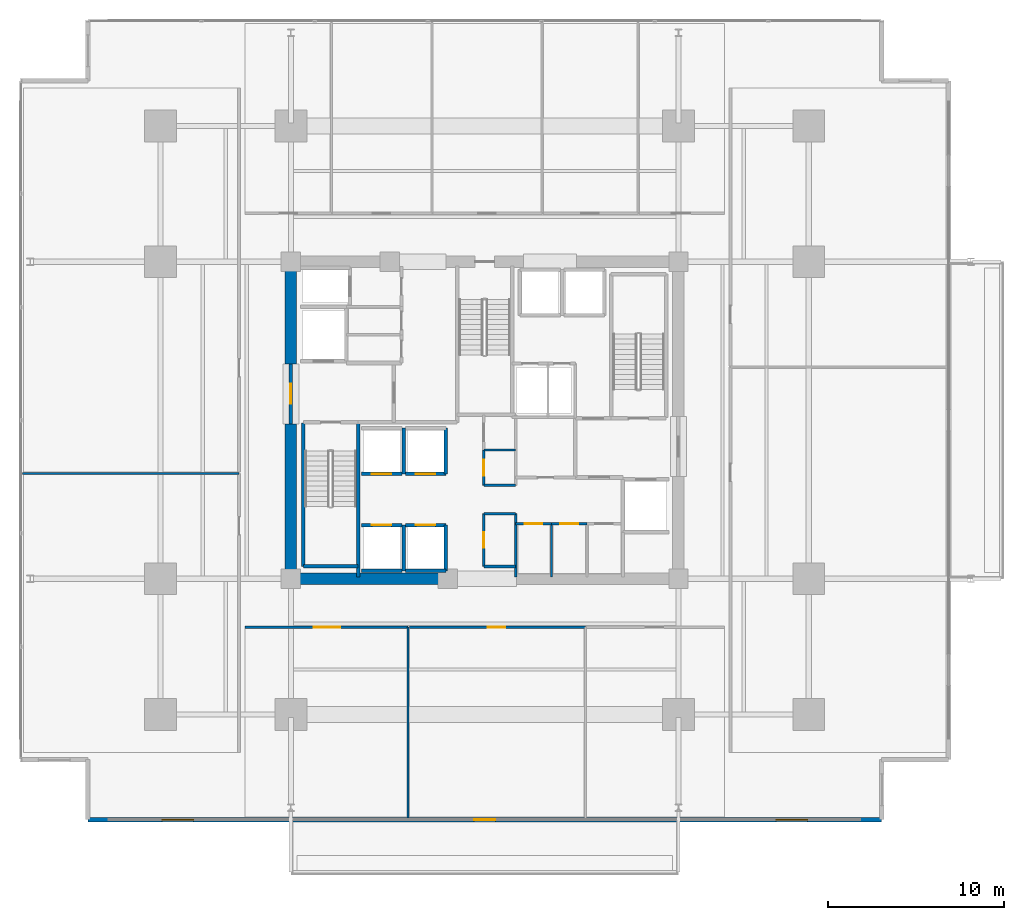
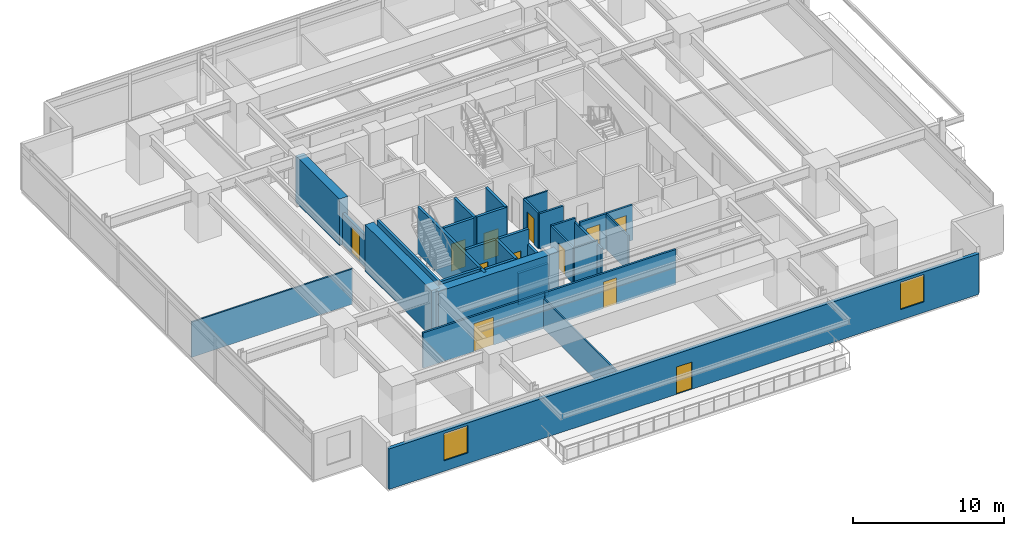
# One storey, part 13 of 21: 32 walls, 12 doors, 2 windows, 14 openings.
"""IFC4 building model written with IfcOpenShell, lengths in metres."""

from ifc_helpers import new_model, si_unit, direction, frame, frame_2d, origin, place, context, subcontext, project, spatial, rectangle, extrude, material, layer, layer_set, type_object, element, fill, save


model = new_model("IFC4")

# Units and contexts
model_context = context("Model", 3, precision=1e-05, world=origin(), true_north=direction((0.0, 1.0)))
body_context = subcontext(model_context, "Body", "Model", "MODEL_VIEW")
ifc_project = project(units=[si_unit("LENGTHUNIT", "METRE"), si_unit("AREAUNIT", "SQUARE_METRE"), si_unit("VOLUMEUNIT", "CUBIC_METRE"), si_unit("PLANEANGLEUNIT", "RADIAN"), si_unit("MASSUNIT", "GRAM", prefix="KILO")], contexts=[model_context])

# Site, building, storey
site_placement = place(None, origin())
site = spatial("IfcSite", under=ifc_project, at=site_placement, CompositionType="ELEMENT")
building_placement = place(site_placement, origin())
building = spatial("IfcBuilding", under=site, at=building_placement, Name="Kovane Verandah Tower", CompositionType="ELEMENT")
storey_placement = place(building_placement, frame((0.0, 0.0, 87.60009765625)))
storey = spatial("IfcBuildingStorey", under=building, at=storey_placement, Name="L20", CompositionType="ELEMENT", Elevation=87.60009765625)

# Walls
ifc_material_1 = material(Name="Fire-Rated Gypsum Stud Partition", Category="gypsum")
ifc_layer_1 = layer(ifc_material_1, 0.14990234375)
ifc_layer_set_1 = layer_set([ifc_layer_1], Name="Fire-Rated Gypsum Stud Partition")
wall_type_1 = type_object("IfcWallType", Name="WL-COR-150", PredefinedType="PARTITIONING", material=ifc_layer_set_1)
for number, where, z_axis, x_axis, name in (
    (1, (39.949951171875, 19.199951171875, 0.0), (0.0, 0.0, 1.0), (1.0, 0.0, 0.0), "L20 Central Core Strip South Wall"),
    (2, (39.949951171875, 22.199951171875, 0.0), (0.0, 0.0, 1.0), (1.0, 0.0, 0.0), "L20 Core Cross-Passage South Wall"),
    (3, (39.949951171875, 23.800048828125, 0.0), (0.0, 0.0, 1.0), (1.0, 0.0, 0.0), "L20 Core Cross-Passage North Wall"),
):
    element("IfcWall", number, at=place(storey_placement, frame(where, z_axis=z_axis, x_axis=x_axis)), inside=storey, type_object=wall_type_1, Name=name, PredefinedType="PARTITIONING", context=body_context, shape_type="SweptSolid", body=[
        extrude(rectangle(XDim=1.81005859375, YDim=0.14990234375, at=frame_2d((0.905029296875, 0.0))), origin(), (0.0, 0.0, 1.0), 2.849853515625),
    ])
wall_1_placement = place(storey_placement, frame((41.760009765625, 18.60009765625, 0.0), z_axis=(0.0, 0.0, 1.0), x_axis=(0.0, 1.0, 0.0)))
element("IfcWall", 4, at=wall_1_placement, inside=storey, type_object=wall_type_1, Name="L20 Central Core Strip Lower East Wall", PredefinedType="PARTITIONING", context=body_context, shape_type="SweptSolid", body=[
    extrude(rectangle(XDim=3.599853515625, YDim=0.14990234375, at=frame_2d((1.7998046875, 0.0))), origin(), (0.0, 0.0, 1.0), 2.539794921875),
])

# Wall, opening, door
wall_2_placement = place(storey_placement, frame((39.949951171875, 19.199951171875, 0.0), z_axis=(0.0, 0.0, 1.0), x_axis=(0.0, 1.0, 0.0)))
wall_2 = element("IfcWall", 5, at=wall_2_placement, inside=storey, type_object=wall_type_1, Name="L20 Male Toilet Partition", PredefinedType="PARTITIONING", context=body_context, shape_type="SweptSolid", body=[
    extrude(rectangle(XDim=3.0, YDim=0.14990234375, at=frame_2d((1.5, 0.0))), origin(), (0.0, 0.0, 1.0), 2.849853515625),
])
opening_1_placement = place(wall_2_placement, frame((1.050048828125, 0.0, 0.0)))
opening_1 = element("IfcOpeningElement", 6, at=opening_1_placement, cuts=wall_2, Name="Opening DR-L20-032", PredefinedType="OPENING", context=body_context, shape_type="SweptSolid", body=[
    extrude(rectangle(XDim=0.89990234375, YDim=2.10009765625, at=frame_2d((0.449951171875, 1.050048828125))), frame((0.0, 0.074951171875, 0.0), z_axis=(0.0, -1.0, 0.0), x_axis=(1.0, 0.0, 0.0)), (0.0, 0.0, 1.0), 0.14990234375),
])
ifc_material_2 = material(Name="Moisture-Resistant Laminate Washroom Door", Category="wood")
door_type_1 = type_object("IfcDoorType", Name="DR-WC-900", OperationType="SINGLE_SWING_LEFT", PredefinedType="DOOR", material=ifc_material_2)
door_1_placement = place(opening_1_placement, origin())
door_1 = element("IfcDoor", 7, at=door_1_placement, inside=storey, type_object=door_type_1, Name="L20 Male Toilet Door", OperationType="SINGLE_SWING_RIGHT", OverallHeight=2.10009765625, OverallWidth=0.89990234375, PredefinedType="DOOR", context=body_context, shape_type="SweptSolid", body=[
    extrude(rectangle(XDim=0.89990234375, YDim=2.10009765625, at=frame_2d((0.449951171875, 1.050048828125))), frame((0.0, 0.02490234375, 0.0), z_axis=(0.0, -1.0, 0.0), x_axis=(1.0, 0.0, 0.0)), (0.0, 0.0, 1.0), 0.050048828125),
])
fill(opening_1, door_1)

wall_3_placement = place(storey_placement, frame((39.949951171875, 23.800048828125, 0.0), z_axis=(0.0, 0.0, 1.0), x_axis=(0.0, 1.0, 0.0)))
wall_3 = element("IfcWall", 8, at=wall_3_placement, inside=storey, type_object=wall_type_1, Name="L20 Female Toilet Partition", PredefinedType="PARTITIONING", context=body_context, shape_type="SweptSolid", body=[
    extrude(rectangle(XDim=2.0, YDim=0.14990234375, at=frame_2d((1.0, 0.0))), origin(), (0.0, 0.0, 1.0), 2.849853515625),
])
opening_2_placement = place(wall_3_placement, frame((0.550048828125, 0.0, 0.0)))
opening_2 = element("IfcOpeningElement", 9, at=opening_2_placement, cuts=wall_3, Name="Opening DR-L20-031", PredefinedType="OPENING", context=body_context, shape_type="SweptSolid", body=[
    extrude(rectangle(XDim=0.89990234375, YDim=2.10009765625, at=frame_2d((0.449951171875, 1.050048828125))), frame((0.0, 0.074951171875, 0.0), z_axis=(0.0, -1.0, 0.0), x_axis=(1.0, 0.0, 0.0)), (0.0, 0.0, 1.0), 0.14990234375),
])
door_2_placement = place(opening_2_placement, origin())
door_2 = element("IfcDoor", 10, at=door_2_placement, inside=storey, type_object=door_type_1, Name="L20 Female Toilet Door", OperationType="SINGLE_SWING_LEFT", OverallHeight=2.10009765625, OverallWidth=0.89990234375, PredefinedType="DOOR", context=body_context, shape_type="SweptSolid", body=[
    extrude(rectangle(XDim=0.89990234375, YDim=2.10009765625, at=frame_2d((0.449951171875, 1.050048828125))), frame((0.0, 0.02490234375, 0.0), z_axis=(0.0, -1.0, 0.0), x_axis=(1.0, 0.0, 0.0)), (0.0, 0.0, 1.0), 0.050048828125),
])
fill(opening_2, door_2)

wall_4_placement = place(storey_placement, frame((41.760009765625, 21.6201171875, 0.0), z_axis=(0.0, 0.0, 1.0), x_axis=(1.0, 0.0, 0.0)))
wall_4 = element("IfcWall", 11, at=wall_4_placement, inside=storey, type_object=wall_type_1, Name="L20 Mail and Copy Room Partition", PredefinedType="PARTITIONING", context=body_context, shape_type="SweptSolid", body=[
    extrude(rectangle(XDim=2.0400390625, YDim=0.14990234375, at=frame_2d((1.02001953125, 0.0))), origin(), (0.0, 0.0, 1.0), 2.849853515625),
])
opening_3_placement = place(wall_4_placement, frame((0.52001953125, 0.0, 0.0)))
opening_3 = element("IfcOpeningElement", 12, at=opening_3_placement, cuts=wall_4, Name="Opening DR-L20-015", PredefinedType="OPENING", context=body_context, shape_type="SweptSolid", body=[
    extrude(rectangle(XDim=1.0, YDim=2.14990234375, at=frame_2d((0.5, 1.074951171875))), frame((0.0, 0.074951171875, 0.0), z_axis=(0.0, -1.0, 0.0), x_axis=(1.0, 0.0, 0.0)), (0.0, 0.0, 1.0), 0.14990234375),
])
ifc_material_3 = material(Name="FSC Spotted-Gum Timber Fire-Rated Office Door", Category="wood")
door_type_2 = type_object("IfcDoorType", Name="DR-OFF-1000", OperationType="SINGLE_SWING_LEFT", PredefinedType="DOOR", material=ifc_material_3)
door_3_placement = place(opening_3_placement, origin())
door_3 = element("IfcDoor", 13, at=door_3_placement, inside=storey, type_object=door_type_2, Name="L20 Mail and Copy Room Door", OperationType="SINGLE_SWING_RIGHT", OverallHeight=2.14990234375, OverallWidth=1.0, PredefinedType="DOOR", context=body_context, shape_type="SweptSolid", body=[
    extrude(rectangle(XDim=1.0, YDim=2.14990234375, at=frame_2d((0.5, 1.074951171875))), frame((0.0, 0.02490234375, 0.0), z_axis=(0.0, -1.0, 0.0), x_axis=(1.0, 0.0, 0.0)), (0.0, 0.0, 1.0), 0.050048828125),
])
fill(opening_3, door_3)

wall_5_placement = place(storey_placement, frame((43.800048828125, 21.6201171875, 0.0), z_axis=(0.0, 0.0, 1.0), x_axis=(1.0, 0.0, 0.0)))
wall_5 = element("IfcWall", 14, at=wall_5_placement, inside=storey, type_object=wall_type_1, Name="L20 First Aid Room Partition", PredefinedType="PARTITIONING", context=body_context, shape_type="SweptSolid", body=[
    extrude(rectangle(XDim=2.0, YDim=0.14990234375, at=frame_2d((1.0, 0.0))), origin(), (0.0, 0.0, 1.0), 2.849853515625),
])
opening_4_placement = place(wall_5_placement, frame((0.5, 0.0, 0.0)))
opening_4 = element("IfcOpeningElement", 15, at=opening_4_placement, cuts=wall_5, Name="Opening DR-L20-016", PredefinedType="OPENING", context=body_context, shape_type="SweptSolid", body=[
    extrude(rectangle(XDim=1.0, YDim=2.14990234375, at=frame_2d((0.5, 1.074951171875))), frame((0.0, 0.074951171875, 0.0), z_axis=(0.0, -1.0, 0.0), x_axis=(1.0, 0.0, 0.0)), (0.0, 0.0, 1.0), 0.14990234375),
])
door_4_placement = place(opening_4_placement, origin())
door_4 = element("IfcDoor", 16, at=door_4_placement, inside=storey, type_object=door_type_2, Name="L20 First Aid Room Door", OperationType="SINGLE_SWING_LEFT", OverallHeight=2.14990234375, OverallWidth=1.0, PredefinedType="DOOR", context=body_context, shape_type="SweptSolid", body=[
    extrude(rectangle(XDim=1.0, YDim=2.14990234375, at=frame_2d((0.5, 1.074951171875))), frame((0.0, 0.02490234375, 0.0), z_axis=(0.0, -1.0, 0.0), x_axis=(1.0, 0.0, 0.0)), (0.0, 0.0, 1.0), 0.050048828125),
])
fill(opening_4, door_4)

wall_6_placement = place(storey_placement, frame((26.39990234375, 15.75, 0.0), z_axis=(0.0, 0.0, 1.0), x_axis=(1.0, 0.0, 0.0)))
wall_6 = element("IfcWall", 17, at=wall_6_placement, inside=storey, type_object=wall_type_1, Name="L20 Client Boardroom S1 Corridor Partition", PredefinedType="PARTITIONING", context=body_context, shape_type="SweptSolid", body=[
    extrude(rectangle(XDim=9.248046875, YDim=0.14990234375, at=frame_2d((4.6240234375, 0.0))), origin(), (0.0, 0.0, 1.0), 2.849853515625),
])
opening_5_placement = place(wall_6_placement, frame((3.888916015625, 0.0, 0.0)))
opening_5 = element("IfcOpeningElement", 18, at=opening_5_placement, cuts=wall_6, Name="Opening DR-L20-026", PredefinedType="OPENING", context=body_context, shape_type="SweptSolid", body=[
    extrude(rectangle(XDim=1.5, YDim=2.25, at=frame_2d((0.75, 1.125))), frame((0.0, 0.074951171875, 0.0), z_axis=(0.0, -1.0, 0.0), x_axis=(1.0, 0.0, 0.0)), (0.0, 0.0, 1.0), 0.14990234375),
])
ifc_material_4 = material(Name="Glazed Timber Fire-Rated Double Door", Category="wood")
door_type_3 = type_object("IfcDoorType", Name="DR-CONF-1500", OperationType="DOUBLE_DOOR_SINGLE_SWING", PredefinedType="DOOR", material=ifc_material_4)
door_5_placement = place(opening_5_placement, origin())
door_5 = element("IfcDoor", 19, at=door_5_placement, inside=storey, type_object=door_type_3, Name="L20 Client Boardroom S1 Entrance Door", OperationType="DOUBLE_DOOR_SINGLE_SWING", OverallHeight=2.25, OverallWidth=1.5, PredefinedType="DOOR", context=body_context, shape_type="SweptSolid", body=[
    extrude(rectangle(XDim=1.5, YDim=2.25, at=frame_2d((0.75, 1.125))), frame((0.0, 0.02490234375, 0.0), z_axis=(0.0, -1.0, 0.0), x_axis=(1.0, 0.0, 0.0)), (0.0, 0.0, 1.0), 0.050048828125),
])
fill(opening_5, door_5)

wall_7_placement = place(storey_placement, frame((35.718017578125, 15.75, 0.0), z_axis=(0.0, 0.0, 1.0), x_axis=(1.0, 0.0, 0.0)))
wall_7 = element("IfcWall", 20, at=wall_7_placement, inside=storey, type_object=wall_type_1, Name="L20 Meeting Room S2 Corridor Partition", PredefinedType="PARTITIONING", context=body_context, shape_type="SweptSolid", body=[
    extrude(rectangle(XDim=9.993896484375, YDim=0.14990234375, at=frame_2d((4.9970703125, 0.0))), origin(), (0.0, 0.0, 1.0), 2.849853515625),
])
opening_6_placement = place(wall_7_placement, frame((4.4619140625, 0.0, 0.0)))
opening_6 = element("IfcOpeningElement", 21, at=opening_6_placement, cuts=wall_7, Name="Opening DR-L20-027", PredefinedType="OPENING", context=body_context, shape_type="SweptSolid", body=[
    extrude(rectangle(XDim=1.0, YDim=2.14990234375, at=frame_2d((0.5, 1.074951171875))), frame((0.0, 0.074951171875, 0.0), z_axis=(0.0, -1.0, 0.0), x_axis=(1.0, 0.0, 0.0)), (0.0, 0.0, 1.0), 0.14990234375),
])
door_6_placement = place(opening_6_placement, origin())
door_6 = element("IfcDoor", 22, at=door_6_placement, inside=storey, type_object=door_type_2, Name="L20 Meeting Room S2 Entrance Door", OperationType="SINGLE_SWING_RIGHT", OverallHeight=2.14990234375, OverallWidth=1.0, PredefinedType="DOOR", context=body_context, shape_type="SweptSolid", body=[
    extrude(rectangle(XDim=1.0, YDim=2.14990234375, at=frame_2d((0.5, 1.074951171875))), frame((0.0, 0.02490234375, 0.0), z_axis=(0.0, -1.0, 0.0), x_axis=(1.0, 0.0, 0.0)), (0.0, 0.0, 1.0), 0.050048828125),
])
fill(opening_6, door_6)

# Walls
ifc_material_5 = material(Name="Concrete C80/95", Category="concrete")
ifc_layer_2 = layer(ifc_material_5, 0.64990234375)
ifc_layer_set_2 = layer_set([ifc_layer_2], Name="Concrete C80/95")
wall_type_2 = type_object("IfcWallType", Name="WL-CORE-650", PredefinedType="SHEAR", material=ifc_layer_set_2)
wall_8_placement = place(storey_placement, frame((29.0, 18.5, 0.0), z_axis=(0.0, 0.0, 1.0), x_axis=(1.0, 0.0, 0.0)))
element("IfcWall", 23, at=wall_8_placement, inside=storey, type_object=wall_type_2, Name="L20 Core Shear Wall CS-1", PredefinedType="SHEAR", context=body_context, shape_type="SweptSolid", body=[
    extrude(rectangle(XDim=9.199951171875, YDim=0.64990234375, at=frame_2d((4.60009765625, 0.0))), origin(), (0.0, 0.0, 1.0), 3.760009765625),
])
wall_9_placement = place(storey_placement, frame((29.0, 18.5, 0.0), z_axis=(0.0, 0.0, 1.0), x_axis=(0.0, 1.0, 0.0)))
element("IfcWall", 24, at=wall_9_placement, inside=storey, type_object=wall_type_2, Name="L20 Core Shear Wall CW-1", PredefinedType="SHEAR", context=body_context, shape_type="SweptSolid", body=[
    extrude(rectangle(XDim=8.800048828125, YDim=0.64990234375, at=frame_2d((4.39990234375, 0.0))), origin(), (0.0, 0.0, 1.0), 3.760009765625),
])
wall_10_placement = place(storey_placement, frame((29.0, 30.699951171875, 0.0), z_axis=(0.0, 0.0, 1.0), x_axis=(0.0, 1.0, 0.0)))
element("IfcWall", 25, at=wall_10_placement, inside=storey, type_object=wall_type_2, Name="L20 Core Shear Wall CW-2", PredefinedType="SHEAR", context=body_context, shape_type="SweptSolid", body=[
    extrude(rectangle(XDim=5.800048828125, YDim=0.64990234375, at=frame_2d((2.89990234375, 0.0))), origin(), (0.0, 0.0, 1.0), 3.760009765625),
])

# Wall, opening, door
ifc_material_6 = material(Name="Concrete C45/55 Fire Wall", Category="concrete")
ifc_layer_3 = layer(ifc_material_6, 0.199951171875)
ifc_layer_set_3 = layer_set([ifc_layer_3], Name="Concrete C45/55 Fire Wall")
wall_type_3 = type_object("IfcWallType", Name="WL-FFL-200", PredefinedType="PARTITIONING", material=ifc_layer_set_3)
wall_11_placement = place(storey_placement, frame((29.0, 27.300048828125, 0.0), z_axis=(0.0, 0.0, 1.0), x_axis=(0.0, 1.0, 0.0)))
wall_11 = element("IfcWall", 26, at=wall_11_placement, inside=storey, type_object=wall_type_3, Name="W-L20-FFLW-OUT", PredefinedType="PARTITIONING", context=body_context, shape_type="SweptSolid", body=[
    extrude(rectangle(XDim=3.39990234375, YDim=0.199951171875, at=frame_2d((1.699951171875, 0.0))), origin(), (0.0, 0.0, 1.0), 2.539794921875),
])
opening_7_placement = place(wall_11_placement, frame((1.125, 0.0, 0.0)))
opening_7 = element("IfcOpeningElement", 27, at=opening_7_placement, cuts=wall_11, Name="Opening DR-L20-007", PredefinedType="OPENING", context=body_context, shape_type="SweptSolid", body=[
    extrude(rectangle(XDim=1.14990234375, YDim=2.199951171875, at=frame_2d((0.574951171875, 1.10009765625))), frame((0.0, 0.10009765625, 0.0), z_axis=(0.0, -1.0, 0.0), x_axis=(1.0, 0.0, 0.0)), (0.0, 0.0, 1.0), 0.199951171875),
])
ifc_material_7 = material(Name="Smoke-Sealed Firefighting Lobby Door", Category="steel")
door_type_4 = type_object("IfcDoorType", Name="DR-FFL-1150", OperationType="SINGLE_SWING_LEFT", PredefinedType="DOOR", material=ifc_material_7)
door_7_placement = place(opening_7_placement, origin())
door_7 = element("IfcDoor", 28, at=door_7_placement, inside=storey, type_object=door_type_4, Name="L20 West Firefighting Lobby Corridor Door", OperationType="SINGLE_SWING_RIGHT", OverallHeight=2.199951171875, OverallWidth=1.14990234375, PredefinedType="DOOR", context=body_context, shape_type="SweptSolid", body=[
    extrude(rectangle(XDim=1.14990234375, YDim=2.199951171875, at=frame_2d((0.574951171875, 1.10009765625))), frame((0.0, 0.02490234375, 0.0), z_axis=(0.0, -1.0, 0.0), x_axis=(1.0, 0.0, 0.0)), (0.0, 0.0, 1.0), 0.050048828125),
])
fill(opening_7, door_7)

# Wall
ifc_material_8 = material(Name="Concrete C45/55 Lift Shaft Wall", Category="concrete")
ifc_layer_4 = layer(ifc_material_8, 0.199951171875)
ifc_layer_set_4 = layer_set([ifc_layer_4], Name="Concrete C45/55 Lift Shaft Wall")
wall_type_4 = type_object("IfcWallType", Name="WL-LIFT-200", PredefinedType="SOLIDWALL", material=ifc_layer_set_4)
wall_12_placement = place(storey_placement, frame((33.0, 18.949951171875, 0.0), z_axis=(0.0, 0.0, 1.0), x_axis=(1.0, 0.0, 0.0)))
element("IfcWall", 29, at=wall_12_placement, inside=storey, type_object=wall_type_4, Name="L20 Lift PL-L1 S Shaft Wall", PredefinedType="SOLIDWALL", context=body_context, shape_type="SweptSolid", body=[
    extrude(rectangle(XDim=2.300048828125, YDim=0.199951171875, at=frame_2d((1.14990234375, 0.0))), origin(), (0.0, 0.0, 1.0), 3.760009765625),
])

# Wall, opening, door
wall_13_placement = place(storey_placement, frame((35.300048828125, 21.550048828125, 0.0), z_axis=(0.0, 0.0, 1.0), x_axis=(-1.0, 0.0, 0.0)))
wall_13 = element("IfcWall", 30, at=wall_13_placement, inside=storey, type_object=wall_type_4, Name="L20 Lift PL-L1 N Shaft Wall", PredefinedType="SOLIDWALL", context=body_context, shape_type="SweptSolid", body=[
    extrude(rectangle(XDim=2.300048828125, YDim=0.199951171875, at=frame_2d((1.14990234375, 0.0))), origin(), (0.0, 0.0, 1.0), 3.760009765625),
])
opening_8_placement = place(wall_13_placement, frame((0.60009765625, 0.0, 0.0)))
opening_8 = element("IfcOpeningElement", 31, at=opening_8_placement, cuts=wall_13, Name="Opening LD-L20-004", PredefinedType="OPENING", context=body_context, shape_type="SweptSolid", body=[
    extrude(rectangle(XDim=1.10009765625, YDim=2.199951171875, at=frame_2d((0.550048828125, 1.10009765625))), frame((0.0, 0.10009765625, 0.0), z_axis=(0.0, -1.0, 0.0), x_axis=(1.0, 0.0, 0.0)), (0.0, 0.0, 1.0), 0.199951171875),
])
ifc_material_9 = material(Name="Brushed Stainless Steel Sliding Lift Landing Door", Category="steel")
door_type_5 = type_object("IfcDoorType", Name="DR-LIFT-1100", OperationType="SLIDING_TO_RIGHT", PredefinedType="DOOR", material=ifc_material_9)
door_8_placement = place(opening_8_placement, origin())
door_8 = element("IfcDoor", 32, at=door_8_placement, inside=storey, type_object=door_type_5, Name="L20 Lift PL-L1 Sliding Landing Door", OperationType="SLIDING_TO_RIGHT", OverallHeight=2.199951171875, OverallWidth=1.10009765625, PredefinedType="DOOR", context=body_context, shape_type="SweptSolid", body=[
    extrude(rectangle(XDim=1.10009765625, YDim=2.199951171875, at=frame_2d((0.550048828125, 1.10009765625))), frame((0.0, 0.02490234375, 0.0), z_axis=(0.0, -1.0, 0.0), x_axis=(1.0, 0.0, 0.0)), (0.0, 0.0, 1.0), 0.050048828125),
])
fill(opening_8, door_8)

# Walls
wall_14_placement = place(storey_placement, frame((35.39990234375, 18.949951171875, 0.0), z_axis=(0.0, 0.0, 1.0), x_axis=(0.0, 1.0, 0.0)))
element("IfcWall", 33, at=wall_14_placement, inside=storey, type_object=wall_type_4, Name="L20 Lift PL-L1 and PL-L2 Shared Shaft Wall", PredefinedType="SOLIDWALL", context=body_context, shape_type="SweptSolid", body=[
    extrude(rectangle(XDim=2.60009765625, YDim=0.199951171875, at=frame_2d((1.300048828125, 0.0))), origin(), (0.0, 0.0, 1.0), 3.760009765625),
])
wall_15_placement = place(storey_placement, frame((35.5, 18.949951171875, 0.0), z_axis=(0.0, 0.0, 1.0), x_axis=(1.0, 0.0, 0.0)))
element("IfcWall", 34, at=wall_15_placement, inside=storey, type_object=wall_type_4, Name="L20 Lift PL-L2 S Shaft Wall", PredefinedType="SOLIDWALL", context=body_context, shape_type="SweptSolid", body=[
    extrude(rectangle(XDim=2.300048828125, YDim=0.199951171875, at=frame_2d((1.14990234375, 0.0))), origin(), (0.0, 0.0, 1.0), 2.539794921875),
])

# Wall, opening, door
wall_16_placement = place(storey_placement, frame((37.800048828125, 21.550048828125, 0.0), z_axis=(0.0, 0.0, 1.0), x_axis=(-1.0, 0.0, 0.0)))
wall_16 = element("IfcWall", 35, at=wall_16_placement, inside=storey, type_object=wall_type_4, Name="L20 Lift PL-L2 N Shaft Wall", PredefinedType="SOLIDWALL", context=body_context, shape_type="SweptSolid", body=[
    extrude(rectangle(XDim=2.300048828125, YDim=0.199951171875, at=frame_2d((1.14990234375, 0.0))), origin(), (0.0, 0.0, 1.0), 3.760009765625),
])
opening_9_placement = place(wall_16_placement, frame((0.60009765625, 0.0, 0.0)))
opening_9 = element("IfcOpeningElement", 36, at=opening_9_placement, cuts=wall_16, Name="Opening LD-L20-005", PredefinedType="OPENING", context=body_context, shape_type="SweptSolid", body=[
    extrude(rectangle(XDim=1.10009765625, YDim=2.199951171875, at=frame_2d((0.550048828125, 1.10009765625))), frame((0.0, 0.10009765625, 0.0), z_axis=(0.0, -1.0, 0.0), x_axis=(1.0, 0.0, 0.0)), (0.0, 0.0, 1.0), 0.199951171875),
])
door_9_placement = place(opening_9_placement, origin())
door_9 = element("IfcDoor", 37, at=door_9_placement, inside=storey, type_object=door_type_5, Name="L20 Lift PL-L2 Sliding Landing Door", OperationType="SLIDING_TO_RIGHT", OverallHeight=2.199951171875, OverallWidth=1.10009765625, PredefinedType="DOOR", context=body_context, shape_type="SweptSolid", body=[
    extrude(rectangle(XDim=1.10009765625, YDim=2.199951171875, at=frame_2d((0.550048828125, 1.10009765625))), frame((0.0, 0.02490234375, 0.0), z_axis=(0.0, -1.0, 0.0), x_axis=(1.0, 0.0, 0.0)), (0.0, 0.0, 1.0), 0.050048828125),
])
fill(opening_9, door_9)

# Wall
wall_17_placement = place(storey_placement, frame((37.800048828125, 18.949951171875, 0.0), z_axis=(0.0, 0.0, 1.0), x_axis=(0.0, 1.0, 0.0)))
element("IfcWall", 38, at=wall_17_placement, inside=storey, type_object=wall_type_4, Name="L20 Lift PL-L2 E Shaft Wall", PredefinedType="SOLIDWALL", context=body_context, shape_type="SweptSolid", body=[
    extrude(rectangle(XDim=2.60009765625, YDim=0.199951171875, at=frame_2d((1.300048828125, 0.0))), origin(), (0.0, 0.0, 1.0), 2.539794921875),
])

# Wall, opening, door
wall_18_placement = place(storey_placement, frame((33.0, 24.449951171875, 0.0), z_axis=(0.0, 0.0, 1.0), x_axis=(1.0, 0.0, 0.0)))
wall_18 = element("IfcWall", 39, at=wall_18_placement, inside=storey, type_object=wall_type_4, Name="L20 Lift PL-L3 S Shaft Wall", PredefinedType="SOLIDWALL", context=body_context, shape_type="SweptSolid", body=[
    extrude(rectangle(XDim=2.300048828125, YDim=0.199951171875, at=frame_2d((1.14990234375, 0.0))), origin(), (0.0, 0.0, 1.0), 3.760009765625),
])
opening_10_placement = place(wall_18_placement, frame((0.60009765625, 0.0, 0.0)))
opening_10 = element("IfcOpeningElement", 40, at=opening_10_placement, cuts=wall_18, Name="Opening LD-L20-006", PredefinedType="OPENING", context=body_context, shape_type="SweptSolid", body=[
    extrude(rectangle(XDim=1.10009765625, YDim=2.199951171875, at=frame_2d((0.550048828125, 1.10009765625))), frame((0.0, 0.10009765625, 0.0), z_axis=(0.0, -1.0, 0.0), x_axis=(1.0, 0.0, 0.0)), (0.0, 0.0, 1.0), 0.199951171875),
])
door_10_placement = place(opening_10_placement, origin())
door_10 = element("IfcDoor", 41, at=door_10_placement, inside=storey, type_object=door_type_5, Name="L20 Lift PL-L3 Sliding Landing Door", OperationType="SLIDING_TO_RIGHT", OverallHeight=2.199951171875, OverallWidth=1.10009765625, PredefinedType="DOOR", context=body_context, shape_type="SweptSolid", body=[
    extrude(rectangle(XDim=1.10009765625, YDim=2.199951171875, at=frame_2d((0.550048828125, 1.10009765625))), frame((0.0, 0.02490234375, 0.0), z_axis=(0.0, -1.0, 0.0), x_axis=(1.0, 0.0, 0.0)), (0.0, 0.0, 1.0), 0.050048828125),
])
fill(opening_10, door_10)

# Wall
wall_19_placement = place(storey_placement, frame((35.39990234375, 24.449951171875, 0.0), z_axis=(0.0, 0.0, 1.0), x_axis=(0.0, 1.0, 0.0)))
element("IfcWall", 42, at=wall_19_placement, inside=storey, type_object=wall_type_4, Name="L20 Lift PL-L3 and PL-L4 Shared Shaft Wall", PredefinedType="SOLIDWALL", context=body_context, shape_type="SweptSolid", body=[
    extrude(rectangle(XDim=2.60009765625, YDim=0.199951171875, at=frame_2d((1.300048828125, 0.0))), origin(), (0.0, 0.0, 1.0), 3.760009765625),
])

# Wall, opening, door
wall_20_placement = place(storey_placement, frame((35.5, 24.449951171875, 0.0), z_axis=(0.0, 0.0, 1.0), x_axis=(1.0, 0.0, 0.0)))
wall_20 = element("IfcWall", 43, at=wall_20_placement, inside=storey, type_object=wall_type_4, Name="L20 Lift PL-L4 S Shaft Wall", PredefinedType="SOLIDWALL", context=body_context, shape_type="SweptSolid", body=[
    extrude(rectangle(XDim=2.300048828125, YDim=0.199951171875, at=frame_2d((1.14990234375, 0.0))), origin(), (0.0, 0.0, 1.0), 3.760009765625),
])
opening_11_placement = place(wall_20_placement, frame((0.60009765625, 0.0, 0.0)))
opening_11 = element("IfcOpeningElement", 44, at=opening_11_placement, cuts=wall_20, Name="Opening LD-L20-007", PredefinedType="OPENING", context=body_context, shape_type="SweptSolid", body=[
    extrude(rectangle(XDim=1.10009765625, YDim=2.199951171875, at=frame_2d((0.550048828125, 1.10009765625))), frame((0.0, 0.10009765625, 0.0), z_axis=(0.0, -1.0, 0.0), x_axis=(1.0, 0.0, 0.0)), (0.0, 0.0, 1.0), 0.199951171875),
])
door_11_placement = place(opening_11_placement, origin())
door_11 = element("IfcDoor", 45, at=door_11_placement, inside=storey, type_object=door_type_5, Name="L20 Lift PL-L4 Sliding Landing Door", OperationType="SLIDING_TO_RIGHT", OverallHeight=2.199951171875, OverallWidth=1.10009765625, PredefinedType="DOOR", context=body_context, shape_type="SweptSolid", body=[
    extrude(rectangle(XDim=1.10009765625, YDim=2.199951171875, at=frame_2d((0.550048828125, 1.10009765625))), frame((0.0, 0.02490234375, 0.0), z_axis=(0.0, -1.0, 0.0), x_axis=(1.0, 0.0, 0.0)), (0.0, 0.0, 1.0), 0.050048828125),
])
fill(opening_11, door_11)

# Walls
wall_21_placement = place(storey_placement, frame((37.800048828125, 24.449951171875, 0.0), z_axis=(0.0, 0.0, 1.0), x_axis=(0.0, 1.0, 0.0)))
element("IfcWall", 46, at=wall_21_placement, inside=storey, type_object=wall_type_4, Name="L20 Lift PL-L4 E Shaft Wall", PredefinedType="SOLIDWALL", context=body_context, shape_type="SweptSolid", body=[
    extrude(rectangle(XDim=2.60009765625, YDim=0.199951171875, at=frame_2d((1.300048828125, 0.0))), origin(), (0.0, 0.0, 1.0), 3.760009765625),
])
ifc_material_10 = material(Name="Acoustic Fire-Rated Gypsum Partition", Category="gypsum")
ifc_layer_5 = layer(ifc_material_10, 0.1201171875)
ifc_layer_set_5 = layer_set([ifc_layer_5], Name="Acoustic Fire-Rated Gypsum Partition")
wall_type_5 = type_object("IfcWallType", Name="WL-PART-120", PredefinedType="PARTITIONING", material=ifc_layer_set_5)
wall_22_placement = place(storey_placement, frame((39.949951171875, 25.800048828125, 0.0), z_axis=(0.0, 0.0, 1.0), x_axis=(1.0, 0.0, 0.0)))
element("IfcWall", 47, at=wall_22_placement, inside=storey, type_object=wall_type_5, Name="L20 Central Core Strip Upper Dividing Partition", PredefinedType="PARTITIONING", context=body_context, shape_type="SweptSolid", body=[
    extrude(rectangle(XDim=1.81005859375, YDim=0.1201171875, at=frame_2d((0.905029296875, 0.0))), origin(), (0.0, 0.0, 1.0), 2.849853515625),
])
wall_23_placement = place(storey_placement, frame((43.800048828125, 18.60009765625, 0.0), z_axis=(0.0, 0.0, 1.0), x_axis=(0.0, 1.0, 0.0)))
element("IfcWall", 48, at=wall_23_placement, inside=storey, type_object=wall_type_5, Name="L20 East Core Support Dividing Partition 1", PredefinedType="PARTITIONING", context=body_context, shape_type="SweptSolid", body=[
    extrude(rectangle(XDim=3.02001953125, YDim=0.1201171875, at=frame_2d((1.510009765625, 0.0))), origin(), (0.0, 0.0, 1.0), 2.849853515625),
])
wall_24_placement = place(storey_placement, frame((35.64794921875, 4.92919921875, 0.0), z_axis=(0.0, 0.0, 1.0), x_axis=(0.0, 1.0, 0.0)))
element("IfcWall", 49, at=wall_24_placement, inside=storey, type_object=wall_type_5, Name="L20 Client Boardroom S1 Dividing Partition", PredefinedType="PARTITIONING", context=body_context, shape_type="SweptSolid", body=[
    extrude(rectangle(XDim=10.82080078125, YDim=0.1201171875, at=frame_2d((5.410400390625, 0.0))), origin(), (0.0, 0.0, 1.0), 2.389892578125),
])
wall_25_placement = place(storey_placement, frame((13.77001953125, 24.480712890625, 0.0), z_axis=(0.0, 0.0, 1.0), x_axis=(1.0, 0.0, 0.0)))
element("IfcWall", 50, at=wall_25_placement, inside=storey, type_object=wall_type_5, Name="L20 Breakout Pantry W1 Dividing Partition", PredefinedType="PARTITIONING", context=body_context, shape_type="SweptSolid", body=[
    extrude(rectangle(XDim=12.280029296875, YDim=0.1201171875, at=frame_2d((6.14013671875, 0.0))), origin(), (0.0, 0.0, 1.0), 2.849853515625),
])
ifc_material_11 = material(Name="Concrete C45/55", Category="concrete")
ifc_layer_6 = layer(ifc_material_11, 0.199951171875)
ifc_layer_set_6 = layer_set([ifc_layer_6], Name="Concrete C45/55")
wall_type_6 = type_object("IfcWallType", Name="WL-SHAFT-200", PredefinedType="SOLIDWALL", material=ifc_layer_set_6)
wall_26_placement = place(storey_placement, frame((29.699951171875, 19.199951171875, 0.0), z_axis=(0.0, 0.0, 1.0), x_axis=(0.0, 1.0, 0.0)))
element("IfcWall", 51, at=wall_26_placement, inside=storey, type_object=wall_type_6, Name="W-L20-ST01-W", PredefinedType="SOLIDWALL", context=body_context, shape_type="SweptSolid", body=[
    extrude(rectangle(XDim=8.150146484375, YDim=0.199951171875, at=frame_2d((4.0751953125, 0.0))), origin(), (0.0, 0.0, 1.0), 3.760009765625),
])
wall_27_placement = place(storey_placement, frame((29.699951171875, 19.199951171875, 0.0), z_axis=(0.0, 0.0, 1.0), x_axis=(1.0, 0.0, 0.0)))
element("IfcWall", 52, at=wall_27_placement, inside=storey, type_object=wall_type_6, Name="W-L20-ST01-S", PredefinedType="SOLIDWALL", context=body_context, shape_type="SweptSolid", body=[
    extrude(rectangle(XDim=3.1201171875, YDim=0.199951171875, at=frame_2d((1.56005859375, 0.0))), origin(), (0.0, 0.0, 1.0), 3.760009765625),
])
wall_28_placement = place(storey_placement, frame((32.820068359375, 18.60009765625, 0.0), z_axis=(0.0, 0.0, 1.0), x_axis=(0.0, 1.0, 0.0)))
element("IfcWall", 53, at=wall_28_placement, inside=storey, type_object=wall_type_6, Name="W-L20-ST01-E", PredefinedType="SOLIDWALL", context=body_context, shape_type="SweptSolid", body=[
    extrude(rectangle(XDim=8.77978515625, YDim=0.199951171875, at=frame_2d((4.389892578125, 0.0))), origin(), (0.0, 0.0, 1.0), 3.760009765625),
])

# Wall, openings, door, windows
ifc_material_12 = material(Name="Concrete C45/55 Insulated Spandrel Wall", Category="concrete")
ifc_layer_7 = layer(ifc_material_12, 0.260009765625)
ifc_layer_set_7 = layer_set([ifc_layer_7], Name="Concrete C45/55 Insulated Spandrel Wall")
wall_type_7 = type_object("IfcWallType", Name="WL-SPANDREL-260", PredefinedType="PARAPET", material=ifc_layer_set_7)
wall_29_placement = place(storey_placement, frame((17.47021484375, 4.8291015625, 0.0), z_axis=(0.0, 0.0, 1.0), x_axis=(1.0, 0.0, 0.0)))
wall_29 = element("IfcWall", 54, at=wall_29_placement, inside=storey, type_object=wall_type_7, Name="L20 S Verandah Access Facade Wall", PredefinedType="PARAPET", context=body_context, shape_type="SweptSolid", body=[
    extrude(rectangle(XDim=45.0595703125, YDim=0.260009765625, at=frame_2d((22.52978515625, 0.0))), origin(), (0.0, 0.0, 1.0), 3.272705078125),
])
opening_12_placement = place(wall_29_placement, frame((4.199951171875, 0.0, 0.85009765625)))
opening_12 = element("IfcOpeningElement", 55, at=opening_12_placement, cuts=wall_29, Name="Opening W-03", PredefinedType="OPENING", context=body_context, shape_type="SweptSolid", body=[
    extrude(rectangle(XDim=1.800048828125, YDim=2.199951171875, at=frame_2d((0.89990234375, 1.10009765625))), frame((0.0, 0.1298828125, 0.0), z_axis=(0.0, -1.0, 0.0), x_axis=(1.0, 0.0, 0.0)), (0.0, 0.0, 1.0), 0.260009765625),
])
opening_13_placement = place(wall_29_placement, frame((21.929931640625, 0.0, 0.0)))
opening_13 = element("IfcOpeningElement", 56, at=opening_13_placement, cuts=wall_29, Name="Opening DR-L20-002", PredefinedType="OPENING", context=body_context, shape_type="SweptSolid", body=[
    extrude(rectangle(XDim=1.199951171875, YDim=2.199951171875, at=frame_2d((0.60009765625, 1.10009765625))), frame((0.0, 0.1298828125, 0.0), z_axis=(0.0, -1.0, 0.0), x_axis=(1.0, 0.0, 0.0)), (0.0, 0.0, 1.0), 0.260009765625),
])
opening_14_placement = place(wall_29_placement, frame((39.059814453125, 0.0, 0.85009765625)))
opening_14 = element("IfcOpeningElement", 57, at=opening_14_placement, cuts=wall_29, Name="Opening W-03", PredefinedType="OPENING", context=body_context, shape_type="SweptSolid", body=[
    extrude(rectangle(XDim=1.800048828125, YDim=2.199951171875, at=frame_2d((0.89990234375, 1.10009765625))), frame((0.0, 0.1298828125, 0.0), z_axis=(0.0, -1.0, 0.0), x_axis=(1.0, 0.0, 0.0)), (0.0, 0.0, 1.0), 0.260009765625),
])
ifc_material_13 = material(Name="Cyclone-Rated Glazed Balcony Leaf Door", Category="aluminium")
door_type_6 = type_object("IfcDoorType", Name="DR-BAL-1200x2200", OperationType="SINGLE_SWING_LEFT", PredefinedType="DOOR", material=ifc_material_13)
door_12_placement = place(opening_13_placement, origin())
door_12 = element("IfcDoor", 58, at=door_12_placement, inside=storey, type_object=door_type_6, Name="L20 S Planted Balcony Access Door", OperationType="SINGLE_SWING_LEFT", OverallHeight=2.199951171875, OverallWidth=1.199951171875, PredefinedType="DOOR", context=body_context, shape_type="SweptSolid", body=[
    extrude(rectangle(XDim=1.199951171875, YDim=2.199951171875, at=frame_2d((0.60009765625, 1.10009765625))), frame((0.0, 0.02490234375, 0.0), z_axis=(0.0, -1.0, 0.0), x_axis=(1.0, 0.0, 0.0)), (0.0, 0.0, 1.0), 0.050048828125),
])
fill(opening_13, door_12)
ifc_material_14 = material(Name="Clear Low-E Laminated Double Glazing in Anodised Frame", Category="glass")
window_type = type_object("IfcWindowType", Name="WN-NOTCH-1800x2200", PartitioningType="SINGLE_PANEL", PredefinedType="WINDOW", material=ifc_material_14)
window_1_placement = place(opening_12_placement, origin())
window_1 = element("IfcWindow", 59, at=window_1_placement, inside=storey, type_object=window_type, Name="L20 S Verandah View Window 1", OverallHeight=2.199951171875, OverallWidth=1.800048828125, PartitioningType="SINGLE_PANEL", PredefinedType="WINDOW", context=body_context, shape_type="SweptSolid", body=[
    extrude(rectangle(XDim=1.800048828125, YDim=2.199951171875, at=frame_2d((0.89990234375, 1.10009765625))), frame((0.0, 0.030029296875, 0.0), z_axis=(0.0, -1.0, 0.0), x_axis=(1.0, 0.0, 0.0)), (0.0, 0.0, 1.0), 0.06005859375),
])
fill(opening_12, window_1)
window_2_placement = place(opening_14_placement, origin())
window_2 = element("IfcWindow", 60, at=window_2_placement, inside=storey, type_object=window_type, Name="L20 S Verandah View Window 2", OverallHeight=2.199951171875, OverallWidth=1.800048828125, PartitioningType="SINGLE_PANEL", PredefinedType="WINDOW", context=body_context, shape_type="SweptSolid", body=[
    extrude(rectangle(XDim=1.800048828125, YDim=2.199951171875, at=frame_2d((0.89990234375, 1.10009765625))), frame((0.0, 0.030029296875, 0.0), z_axis=(0.0, -1.0, 0.0), x_axis=(1.0, 0.0, 0.0)), (0.0, 0.0, 1.0), 0.06005859375),
])
fill(opening_14, window_2)

save(model, "model.ifc")
